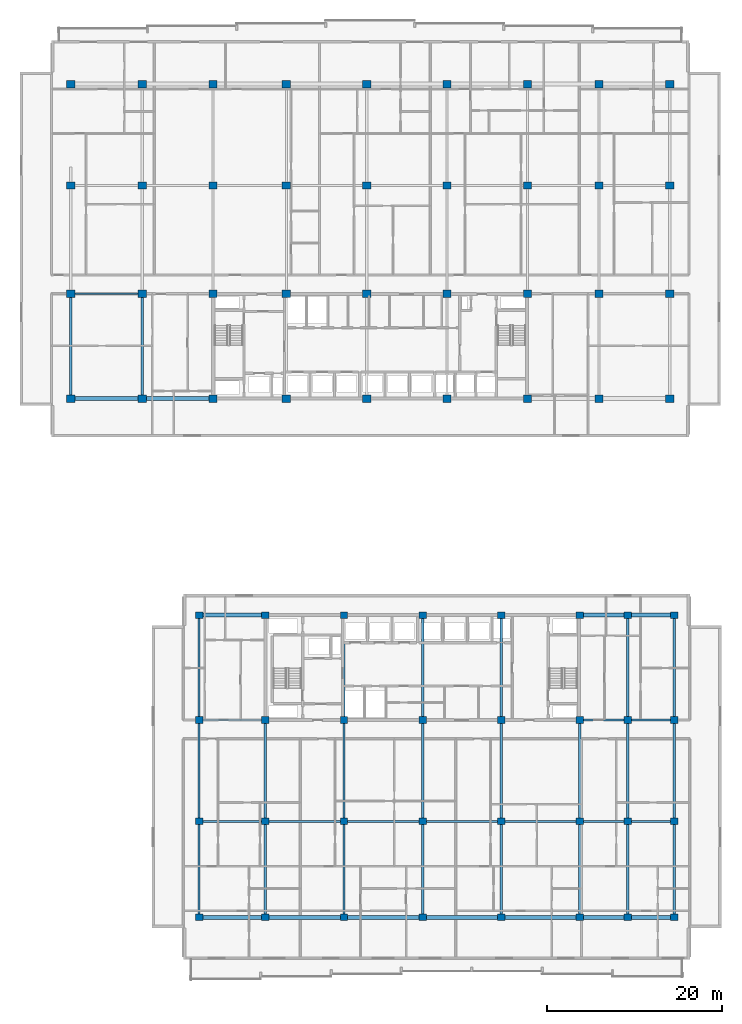
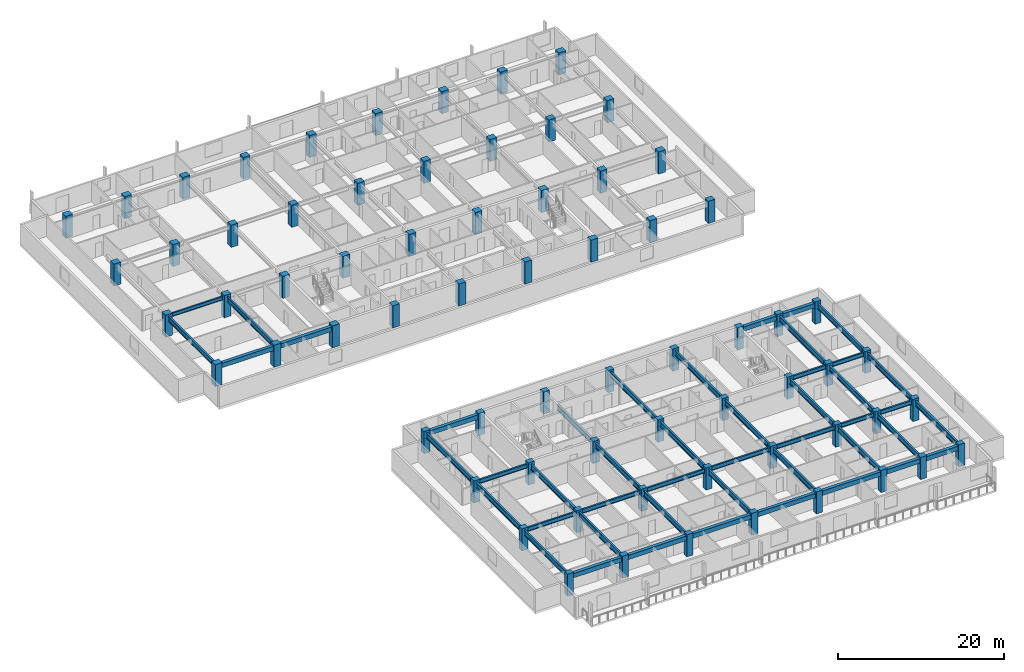
# One storey, part 1 of 22: 68 columns, 47 beams.
"""IFC4 building model written with IfcOpenShell, lengths in metres."""

from ifc_helpers import new_model, si_unit, direction, frame, origin, origin_2d, place, context, subcontext, project, spatial, rectangle, i_section, extrude, material, material_profile, profile_set, type_object, element, save


model = new_model("IFC4")

# Units and contexts
model_context = context("Model", 3, precision=1e-05, world=origin(), true_north=direction((0.0, 1.0)))
body_context = subcontext(model_context, "Body", "Model", "MODEL_VIEW")
ifc_project = project(units=[si_unit("LENGTHUNIT", "METRE"), si_unit("AREAUNIT", "SQUARE_METRE"), si_unit("VOLUMEUNIT", "CUBIC_METRE"), si_unit("PLANEANGLEUNIT", "RADIAN"), si_unit("MASSUNIT", "GRAM", prefix="KILO")], contexts=[model_context])

# Site, building, storey
site_placement = place(None, origin())
site = spatial("IfcSite", under=ifc_project, at=site_placement, CompositionType="ELEMENT")
building_placement = place(site_placement, origin())
building = spatial("IfcBuilding", under=site, at=building_placement, Name="Korimba Cascade Residences", CompositionType="ELEMENT")
storey_placement = place(building_placement, frame((0.0, 0.0, 80.800048828125)))
storey = spatial("IfcBuildingStorey", under=building, at=storey_placement, Name="L22", CompositionType="ELEMENT", Elevation=80.800048828125)

# Columns
ifc_material_1 = material(Name="Concrete C65/80", Category="concrete")
ifc_material_profile_1 = material_profile(ifc_material_1, rectangle(XDim=0.85009765625, YDim=0.75, at=origin_2d()), Name="Concrete C65/80")
ifc_profile_set_1 = profile_set([ifc_material_profile_1], Name="Concrete C65/80")
column_type_1 = type_object("IfcColumnType", Name="COL-RC-850", PredefinedType="COLUMN", material=ifc_profile_set_1)
for number, where, z_axis, x_axis, name in (
    (1, (74.5, -4.199951171875, 0.0), (0.0, 0.0, 1.0), (1.0, 0.0, 0.0), "L22 Tower 2 Column 1.1"),
    (2, (74.5, 6.800048828125, 0.0), (0.0, 0.0, 1.0), (1.0, 0.0, 0.0), "L22 Tower 2 Column 1.2"),
    (3, (74.5, 18.39990234375, 0.0), (0.0, 0.0, 1.0), (1.0, 0.0, 0.0), "L22 Tower 2 Column 1.3"),
    (4, (74.5, 30.39990234375, 0.0), (0.0, 0.0, 1.0), (1.0, 0.0, 0.0), "L22 Tower 2 Column 1.4"),
    (5, (82.10009765625, -4.199951171875, 0.0), (0.0, 0.0, 1.0), (1.0, 0.0, 0.0), "L22 Tower 2 Column 2.1"),
    (6, (82.10009765625, 6.800048828125, 0.0), (0.0, 0.0, 1.0), (1.0, 0.0, 0.0), "L22 Tower 2 Column 2.2"),
    (7, (82.10009765625, 18.39990234375, 0.0), (0.0, 0.0, 1.0), (1.0, 0.0, 0.0), "L22 Tower 2 Column 2.3"),
    (8, (82.10009765625, 30.39990234375, 0.0), (0.0, 0.0, 1.0), (1.0, 0.0, 0.0), "L22 Tower 2 Column 2.4"),
    (9, (91.10009765625, -4.199951171875, 0.0), (0.0, 0.0, 1.0), (1.0, 0.0, 0.0), "L22 Tower 2 Column 3.1"),
    (10, (91.10009765625, 6.800048828125, 0.0), (0.0, 0.0, 1.0), (1.0, 0.0, 0.0), "L22 Tower 2 Column 3.2"),
    (11, (91.10009765625, 18.39990234375, 0.0), (0.0, 0.0, 1.0), (1.0, 0.0, 0.0), "L22 Tower 2 Column 3.3"),
    (12, (91.10009765625, 30.39990234375, 0.0), (0.0, 0.0, 1.0), (1.0, 0.0, 0.0), "L22 Tower 2 Column 3.4"),
    (13, (100.10009765625, -4.199951171875, 0.0), (0.0, 0.0, 1.0), (1.0, 0.0, 0.0), "L22 Tower 2 Column 4.1"),
    (14, (100.10009765625, 6.800048828125, 0.0), (0.0, 0.0, 1.0), (1.0, 0.0, 0.0), "L22 Tower 2 Column 4.2"),
    (15, (100.10009765625, 18.39990234375, 0.0), (0.0, 0.0, 1.0), (1.0, 0.0, 0.0), "L22 Tower 2 Column 4.3"),
    (16, (100.10009765625, 30.39990234375, 0.0), (0.0, 0.0, 1.0), (1.0, 0.0, 0.0), "L22 Tower 2 Column 4.4"),
    (17, (109.10009765625, -4.199951171875, 0.0), (0.0, 0.0, 1.0), (1.0, 0.0, 0.0), "L22 Tower 2 Column 5.1"),
    (18, (109.10009765625, 6.800048828125, 0.0), (0.0, 0.0, 1.0), (1.0, 0.0, 0.0), "L22 Tower 2 Column 5.2"),
    (19, (109.10009765625, 18.39990234375, 0.0), (0.0, 0.0, 1.0), (1.0, 0.0, 0.0), "L22 Tower 2 Column 5.3"),
    (20, (109.10009765625, 30.39990234375, 0.0), (0.0, 0.0, 1.0), (1.0, 0.0, 0.0), "L22 Tower 2 Column 5.4"),
    (21, (118.10009765625, -4.199951171875, 0.0), (0.0, 0.0, 1.0), (1.0, 0.0, 0.0), "L22 Tower 2 Column 6.1"),
    (22, (118.10009765625, 6.800048828125, 0.0), (0.0, 0.0, 1.0), (1.0, 0.0, 0.0), "L22 Tower 2 Column 6.2"),
    (23, (118.10009765625, 18.39990234375, 0.0), (0.0, 0.0, 1.0), (1.0, 0.0, 0.0), "L22 Tower 2 Column 6.3"),
    (24, (118.10009765625, 30.39990234375, 0.0), (0.0, 0.0, 1.0), (1.0, 0.0, 0.0), "L22 Tower 2 Column 6.4"),
    (25, (123.60009765625, -4.199951171875, 0.0), (0.0, 0.0, 1.0), (1.0, 0.0, 0.0), "L22 Tower 2 Column 7.1"),
    (26, (123.60009765625, 6.800048828125, 0.0), (0.0, 0.0, 1.0), (1.0, 0.0, 0.0), "L22 Tower 2 Column 7.2"),
    (27, (123.60009765625, 18.39990234375, 0.0), (0.0, 0.0, 1.0), (1.0, 0.0, 0.0), "L22 Tower 2 Column 7.3"),
    (28, (123.60009765625, 30.39990234375, 0.0), (0.0, 0.0, 1.0), (1.0, 0.0, 0.0), "L22 Tower 2 Column 7.4"),
    (29, (128.89990234375, -4.199951171875, 0.0), (0.0, 0.0, 1.0), (1.0, 0.0, 0.0), "L22 Tower 2 Column 8.1"),
    (30, (128.89990234375, 6.800048828125, 0.0), (0.0, 0.0, 1.0), (1.0, 0.0, 0.0), "L22 Tower 2 Column 8.2"),
    (31, (128.89990234375, 18.39990234375, 0.0), (0.0, 0.0, 1.0), (1.0, 0.0, 0.0), "L22 Tower 2 Column 8.3"),
    (32, (128.89990234375, 30.39990234375, 0.0), (0.0, 0.0, 1.0), (1.0, 0.0, 0.0), "L22 Tower 2 Column 8.4"),
):
    element("IfcColumn", number, at=place(storey_placement, frame(where, z_axis=z_axis, x_axis=x_axis)), inside=storey, type_object=column_type_1, Name=name, PredefinedType="COLUMN", context=body_context, shape_type="SweptSolid", body=[
        extrude(rectangle(XDim=0.85009765625, YDim=0.75, at=origin_2d()), origin(), (0.0, 0.0, 1.0), 3.25),
    ])
ifc_material_profile_2 = material_profile(ifc_material_1, rectangle(XDim=0.949951171875, YDim=0.85009765625, at=origin_2d()), Name="Concrete C65/80")
ifc_profile_set_2 = profile_set([ifc_material_profile_2], Name="Concrete C65/80")
column_type_2 = type_object("IfcColumnType", Name="COL-RC-950", PredefinedType="COLUMN", material=ifc_profile_set_2)
for number, where, z_axis, x_axis, name in (
    (33, (59.800048828125, 55.199951171875, 0.0), (0.0, 0.0, 1.0), (1.0, 0.0, 0.0), "L22 Tower 1 Column 1.1"),
    (34, (59.800048828125, 67.199951171875, 0.0), (0.0, 0.0, 1.0), (1.0, 0.0, 0.0), "L22 Tower 1 Column 1.2"),
    (35, (59.800048828125, 79.60009765625, 0.0), (0.0, 0.0, 1.0), (1.0, 0.0, 0.0), "L22 Tower 1 Column 1.3"),
    (36, (59.800048828125, 91.199951171875, 0.0), (0.0, 0.0, 1.0), (1.0, 0.0, 0.0), "L22 Tower 1 Column 1.4"),
    (37, (68.0, 55.199951171875, 0.0), (0.0, 0.0, 1.0), (1.0, 0.0, 0.0), "L22 Tower 1 Column 2.1"),
    (38, (68.0, 67.199951171875, 0.0), (0.0, 0.0, 1.0), (1.0, 0.0, 0.0), "L22 Tower 1 Column 2.2"),
    (39, (68.0, 79.60009765625, 0.0), (0.0, 0.0, 1.0), (1.0, 0.0, 0.0), "L22 Tower 1 Column 2.3"),
    (40, (68.0, 91.199951171875, 0.0), (0.0, 0.0, 1.0), (1.0, 0.0, 0.0), "L22 Tower 1 Column 2.4"),
    (41, (76.10009765625, 55.199951171875, 0.0), (0.0, 0.0, 1.0), (1.0, 0.0, 0.0), "L22 Tower 1 Column 3.1"),
    (42, (76.10009765625, 67.199951171875, 0.0), (0.0, 0.0, 1.0), (1.0, 0.0, 0.0), "L22 Tower 1 Column 3.2"),
    (43, (76.10009765625, 79.60009765625, 0.0), (0.0, 0.0, 1.0), (1.0, 0.0, 0.0), "L22 Tower 1 Column 3.3"),
    (44, (76.10009765625, 91.199951171875, 0.0), (0.0, 0.0, 1.0), (1.0, 0.0, 0.0), "L22 Tower 1 Column 3.4"),
    (45, (84.5, 55.199951171875, 0.0), (0.0, 0.0, 1.0), (1.0, 0.0, 0.0), "L22 Tower 1 Column 4.1"),
    (46, (84.5, 67.199951171875, 0.0), (0.0, 0.0, 1.0), (1.0, 0.0, 0.0), "L22 Tower 1 Column 4.2"),
    (47, (84.5, 79.60009765625, 0.0), (0.0, 0.0, 1.0), (1.0, 0.0, 0.0), "L22 Tower 1 Column 4.3"),
    (48, (84.5, 91.199951171875, 0.0), (0.0, 0.0, 1.0), (1.0, 0.0, 0.0), "L22 Tower 1 Column 4.4"),
    (49, (93.699951171875, 55.199951171875, 0.0), (0.0, 0.0, 1.0), (1.0, 0.0, 0.0), "L22 Tower 1 Column 5.1"),
    (50, (93.699951171875, 67.199951171875, 0.0), (0.0, 0.0, 1.0), (1.0, 0.0, 0.0), "L22 Tower 1 Column 5.2"),
    (51, (93.699951171875, 79.60009765625, 0.0), (0.0, 0.0, 1.0), (1.0, 0.0, 0.0), "L22 Tower 1 Column 5.3"),
    (52, (93.699951171875, 91.199951171875, 0.0), (0.0, 0.0, 1.0), (1.0, 0.0, 0.0), "L22 Tower 1 Column 5.4"),
    (53, (102.89990234375, 55.199951171875, 0.0), (0.0, 0.0, 1.0), (1.0, 0.0, 0.0), "L22 Tower 1 Column 6.1"),
    (54, (102.89990234375, 67.199951171875, 0.0), (0.0, 0.0, 1.0), (1.0, 0.0, 0.0), "L22 Tower 1 Column 6.2"),
    (55, (102.89990234375, 79.60009765625, 0.0), (0.0, 0.0, 1.0), (1.0, 0.0, 0.0), "L22 Tower 1 Column 6.3"),
    (56, (102.89990234375, 91.199951171875, 0.0), (0.0, 0.0, 1.0), (1.0, 0.0, 0.0), "L22 Tower 1 Column 6.4"),
    (57, (112.10009765625, 55.199951171875, 0.0), (0.0, 0.0, 1.0), (1.0, 0.0, 0.0), "L22 Tower 1 Column 7.1"),
    (58, (112.10009765625, 67.199951171875, 0.0), (0.0, 0.0, 1.0), (1.0, 0.0, 0.0), "L22 Tower 1 Column 7.2"),
    (59, (112.10009765625, 79.60009765625, 0.0), (0.0, 0.0, 1.0), (1.0, 0.0, 0.0), "L22 Tower 1 Column 7.3"),
    (60, (112.10009765625, 91.199951171875, 0.0), (0.0, 0.0, 1.0), (1.0, 0.0, 0.0), "L22 Tower 1 Column 7.4"),
    (61, (120.300048828125, 55.199951171875, 0.0), (0.0, 0.0, 1.0), (1.0, 0.0, 0.0), "L22 Tower 1 Column 8.1"),
    (62, (120.300048828125, 67.199951171875, 0.0), (0.0, 0.0, 1.0), (1.0, 0.0, 0.0), "L22 Tower 1 Column 8.2"),
    (63, (120.300048828125, 79.60009765625, 0.0), (0.0, 0.0, 1.0), (1.0, 0.0, 0.0), "L22 Tower 1 Column 8.3"),
    (64, (120.300048828125, 91.199951171875, 0.0), (0.0, 0.0, 1.0), (1.0, 0.0, 0.0), "L22 Tower 1 Column 8.4"),
    (65, (128.39990234375, 55.199951171875, 0.0), (0.0, 0.0, 1.0), (1.0, 0.0, 0.0), "L22 Tower 1 Column 9.1"),
    (66, (128.39990234375, 67.199951171875, 0.0), (0.0, 0.0, 1.0), (1.0, 0.0, 0.0), "L22 Tower 1 Column 9.2"),
    (67, (128.39990234375, 79.60009765625, 0.0), (0.0, 0.0, 1.0), (1.0, 0.0, 0.0), "L22 Tower 1 Column 9.3"),
    (68, (128.39990234375, 91.199951171875, 0.0), (0.0, 0.0, 1.0), (1.0, 0.0, 0.0), "L22 Tower 1 Column 9.4"),
):
    element("IfcColumn", number, at=place(storey_placement, frame(where, z_axis=z_axis, x_axis=x_axis)), inside=storey, type_object=column_type_2, Name=name, PredefinedType="COLUMN", context=body_context, shape_type="SweptSolid", body=[
        extrude(rectangle(XDim=0.949951171875, YDim=0.85009765625, at=origin_2d()), origin(), (0.0, 0.0, 1.0), 3.25),
    ])

# Beams
ifc_material_2 = material(Name="Precast concrete C40/50", Category="concrete")
ifc_material_profile_3 = material_profile(ifc_material_2, rectangle(XDim=0.449951171875, YDim=0.64990234375, at=origin_2d()), Name="Precast concrete C40/50")
ifc_profile_set_3 = profile_set([ifc_material_profile_3], Name="Precast concrete C40/50")
beam_type_1 = type_object("IfcBeamType", Name="BM-RC-SP650", PredefinedType="SPANDREL", material=ifc_profile_set_3)
beam_1_placement = place(storey_placement, frame((60.27490234375, 55.199951171875, 2.64501953125), z_axis=(1.0, 0.0, 0.0), x_axis=(0.0, 1.0, 0.0)))
element("IfcBeam", 69, at=beam_1_placement, inside=storey, type_object=beam_type_1, Name="L22 T1 E-W Girder Y1 Bay 1", PredefinedType="SPANDREL", context=body_context, shape_type="SweptSolid", body=[
    extrude(rectangle(XDim=0.449951171875, YDim=0.64990234375, at=origin_2d()), origin(), (0.0, 0.0, 1.0), 7.25),
])
beam_2_placement = place(storey_placement, frame((68.47509765625, 55.199951171875, 2.64501953125), z_axis=(1.0, 0.0, 0.0), x_axis=(0.0, 1.0, 0.0)))
element("IfcBeam", 70, at=beam_2_placement, inside=storey, type_object=beam_type_1, Name="L22 T1 E-W Girder Y1 Bay 2", PredefinedType="SPANDREL", context=body_context, shape_type="SweptSolid", body=[
    extrude(rectangle(XDim=0.449951171875, YDim=0.64990234375, at=origin_2d()), origin(), (0.0, 0.0, 1.0), 7.14990234375),
])
beam_3_placement = place(storey_placement, frame((74.925048828125, -4.199951171875, 2.64501953125), z_axis=(1.0, 0.0, 0.0), x_axis=(0.0, 1.0, 0.0)))
element("IfcBeam", 71, at=beam_3_placement, inside=storey, type_object=beam_type_1, Name="L22 T2 E-W Girder Y1 Bay 1", PredefinedType="SPANDREL", context=body_context, shape_type="SweptSolid", body=[
    extrude(rectangle(XDim=0.449951171875, YDim=0.64990234375, at=origin_2d()), origin(), (0.0, 0.0, 1.0), 6.75),
])
for number, where, z_axis, x_axis, name in (
    (72, (82.52490234375, -4.199951171875, 2.64501953125), (1.0, 0.0, 0.0), (0.0, 1.0, 0.0), "L22 T2 E-W Girder Y1 Bay 2"),
    (73, (91.52490234375, -4.199951171875, 2.64501953125), (1.0, 0.0, 0.0), (0.0, 1.0, 0.0), "L22 T2 E-W Girder Y1 Bay 3"),
    (74, (100.52490234375, -4.199951171875, 2.64501953125), (1.0, 0.0, 0.0), (0.0, 1.0, 0.0), "L22 T2 E-W Girder Y1 Bay 4"),
    (75, (109.52490234375, -4.199951171875, 2.64501953125), (1.0, 0.0, 0.0), (0.0, 1.0, 0.0), "L22 T2 E-W Girder Y1 Bay 5"),
):
    element("IfcBeam", number, at=place(storey_placement, frame(where, z_axis=z_axis, x_axis=x_axis)), inside=storey, type_object=beam_type_1, Name=name, PredefinedType="SPANDREL", context=body_context, shape_type="SweptSolid", body=[
        extrude(rectangle(XDim=0.449951171875, YDim=0.64990234375, at=origin_2d()), origin(), (0.0, 0.0, 1.0), 8.150146484375),
    ])
beam_4_placement = place(storey_placement, frame((118.52490234375, -4.199951171875, 2.64501953125), z_axis=(1.0, 0.0, 0.0), x_axis=(0.0, 1.0, 0.0)))
element("IfcBeam", 76, at=beam_4_placement, inside=storey, type_object=beam_type_1, Name="L22 T2 E-W Girder Y1 Bay 6", PredefinedType="SPANDREL", context=body_context, shape_type="SweptSolid", body=[
    extrude(rectangle(XDim=0.449951171875, YDim=0.64990234375, at=origin_2d()), origin(), (0.0, 0.0, 1.0), 4.650146484375),
])
beam_5_placement = place(storey_placement, frame((124.02490234375, -4.199951171875, 2.64501953125), z_axis=(1.0, 0.0, 0.0), x_axis=(0.0, 1.0, 0.0)))
element("IfcBeam", 77, at=beam_5_placement, inside=storey, type_object=beam_type_1, Name="L22 T2 E-W Girder Y1 Bay 7", PredefinedType="SPANDREL", context=body_context, shape_type="SweptSolid", body=[
    extrude(rectangle(XDim=0.449951171875, YDim=0.64990234375, at=origin_2d()), origin(), (0.0, 0.0, 1.0), 4.4501953125),
])
beam_6_placement = place(storey_placement, frame((74.925048828125, 30.39990234375, 2.64501953125), z_axis=(1.0, 0.0, 0.0), x_axis=(0.0, 1.0, 0.0)))
element("IfcBeam", 78, at=beam_6_placement, inside=storey, type_object=beam_type_1, Name="L22 T2 E-W Girder Y4 Bay 1", PredefinedType="SPANDREL", context=body_context, shape_type="SweptSolid", body=[
    extrude(rectangle(XDim=0.449951171875, YDim=0.64990234375, at=origin_2d()), origin(), (0.0, 0.0, 1.0), 6.75),
])
beam_7_placement = place(storey_placement, frame((118.52490234375, 30.39990234375, 2.64501953125), z_axis=(1.0, 0.0, 0.0), x_axis=(0.0, 1.0, 0.0)))
element("IfcBeam", 79, at=beam_7_placement, inside=storey, type_object=beam_type_1, Name="L22 T2 E-W Girder Y4 Bay 6", PredefinedType="SPANDREL", context=body_context, shape_type="SweptSolid", body=[
    extrude(rectangle(XDim=0.449951171875, YDim=0.64990234375, at=origin_2d()), origin(), (0.0, 0.0, 1.0), 4.650146484375),
])
beam_8_placement = place(storey_placement, frame((124.02490234375, 30.39990234375, 2.64501953125), z_axis=(1.0, 0.0, 0.0), x_axis=(0.0, 1.0, 0.0)))
element("IfcBeam", 80, at=beam_8_placement, inside=storey, type_object=beam_type_1, Name="L22 T2 E-W Girder Y4 Bay 7", PredefinedType="SPANDREL", context=body_context, shape_type="SweptSolid", body=[
    extrude(rectangle(XDim=0.449951171875, YDim=0.64990234375, at=origin_2d()), origin(), (0.0, 0.0, 1.0), 4.4501953125),
])
ifc_material_3 = material(Name="Steel S355", Category="steel")
ifc_material_profile_4 = material_profile(ifc_material_3, i_section(OverallWidth=0.2099609375, OverallDepth=0.53662109375, WebThickness=0.0107421875, FlangeThickness=0.017333984375, FilletRadius=0.0126953125, at=origin_2d()), Name="Steel S355")
ifc_profile_set_4 = profile_set([ifc_material_profile_4], Name="Steel S355")
beam_type_2 = type_object("IfcBeamType", Name="BM-STL-UB533", PredefinedType="BEAM", material=ifc_profile_set_4)
beam_9_placement = place(storey_placement, frame((60.27490234375, 67.199951171875, 2.70166015625), z_axis=(1.0, 0.0, 0.0), x_axis=(0.0, 1.0, 0.0)))
element("IfcBeam", 81, at=beam_9_placement, inside=storey, type_object=beam_type_2, Name="L22 T1 E-W Girder Y2 Bay 1", PredefinedType="BEAM", context=body_context, shape_type="SweptSolid", body=[
    extrude(i_section(OverallWidth=0.2099609375, OverallDepth=0.53662109375, WebThickness=0.0107421875, FlangeThickness=0.017333984375, FilletRadius=0.0126953125, at=origin_2d()), origin(), (0.0, 0.0, 1.0), 7.25),
])
ifc_material_profile_5 = material_profile(ifc_material_3, i_section(OverallWidth=0.22900390625, OverallDepth=0.6123046875, WebThickness=0.011962890625, FlangeThickness=0.01953125, FilletRadius=0.0126953125, at=origin_2d()), Name="Steel S355")
ifc_profile_set_5 = profile_set([ifc_material_profile_5], Name="Steel S355")
beam_type_3 = type_object("IfcBeamType", Name="BM-STL-UB610B", PredefinedType="BEAM", material=ifc_profile_set_5)
beam_10_placement = place(storey_placement, frame((74.925048828125, 6.800048828125, 2.663818359375), z_axis=(1.0, 0.0, 0.0), x_axis=(0.0, 1.0, 0.0)))
element("IfcBeam", 82, at=beam_10_placement, inside=storey, type_object=beam_type_3, Name="L22 T2 E-W Girder Y2 Bay 1", PredefinedType="BEAM", context=body_context, shape_type="SweptSolid", body=[
    extrude(i_section(OverallWidth=0.22900390625, OverallDepth=0.6123046875, WebThickness=0.011962890625, FlangeThickness=0.01953125, FilletRadius=0.0126953125, at=origin_2d()), origin(), (0.0, 0.0, 1.0), 6.75),
])
for number, where, z_axis, x_axis, name in (
    (83, (82.52490234375, 6.800048828125, 2.663818359375), (1.0, 0.0, 0.0), (0.0, 1.0, 0.0), "L22 T2 E-W Girder Y2 Bay 2"),
    (84, (91.52490234375, 6.800048828125, 2.663818359375), (1.0, 0.0, 0.0), (0.0, 1.0, 0.0), "L22 T2 E-W Girder Y2 Bay 3"),
    (85, (100.52490234375, 6.800048828125, 2.663818359375), (1.0, 0.0, 0.0), (0.0, 1.0, 0.0), "L22 T2 E-W Girder Y2 Bay 4"),
    (86, (109.52490234375, 6.800048828125, 2.663818359375), (1.0, 0.0, 0.0), (0.0, 1.0, 0.0), "L22 T2 E-W Girder Y2 Bay 5"),
):
    element("IfcBeam", number, at=place(storey_placement, frame(where, z_axis=z_axis, x_axis=x_axis)), inside=storey, type_object=beam_type_3, Name=name, PredefinedType="BEAM", context=body_context, shape_type="SweptSolid", body=[
        extrude(i_section(OverallWidth=0.22900390625, OverallDepth=0.6123046875, WebThickness=0.011962890625, FlangeThickness=0.01953125, FilletRadius=0.0126953125, at=origin_2d()), origin(), (0.0, 0.0, 1.0), 8.150146484375),
    ])
beam_11_placement = place(storey_placement, frame((118.52490234375, 6.800048828125, 2.663818359375), z_axis=(1.0, 0.0, 0.0), x_axis=(0.0, 1.0, 0.0)))
element("IfcBeam", 87, at=beam_11_placement, inside=storey, type_object=beam_type_3, Name="L22 T2 E-W Girder Y2 Bay 6", PredefinedType="BEAM", context=body_context, shape_type="SweptSolid", body=[
    extrude(i_section(OverallWidth=0.22900390625, OverallDepth=0.6123046875, WebThickness=0.011962890625, FlangeThickness=0.01953125, FilletRadius=0.0126953125, at=origin_2d()), origin(), (0.0, 0.0, 1.0), 4.650146484375),
])
beam_12_placement = place(storey_placement, frame((124.02490234375, 6.800048828125, 2.663818359375), z_axis=(1.0, 0.0, 0.0), x_axis=(0.0, 1.0, 0.0)))
element("IfcBeam", 88, at=beam_12_placement, inside=storey, type_object=beam_type_3, Name="L22 T2 E-W Girder Y2 Bay 7", PredefinedType="BEAM", context=body_context, shape_type="SweptSolid", body=[
    extrude(i_section(OverallWidth=0.22900390625, OverallDepth=0.6123046875, WebThickness=0.011962890625, FlangeThickness=0.01953125, FilletRadius=0.0126953125, at=origin_2d()), origin(), (0.0, 0.0, 1.0), 4.4501953125),
])
beam_13_placement = place(storey_placement, frame((74.925048828125, 18.39990234375, 2.663818359375), z_axis=(1.0, 0.0, 0.0), x_axis=(0.0, 1.0, 0.0)))
element("IfcBeam", 89, at=beam_13_placement, inside=storey, type_object=beam_type_3, Name="L22 T2 E-W Girder Y3 Bay 1", PredefinedType="BEAM", context=body_context, shape_type="SweptSolid", body=[
    extrude(i_section(OverallWidth=0.22900390625, OverallDepth=0.6123046875, WebThickness=0.011962890625, FlangeThickness=0.01953125, FilletRadius=0.0126953125, at=origin_2d()), origin(), (0.0, 0.0, 1.0), 6.75),
])
beam_14_placement = place(storey_placement, frame((118.52490234375, 18.39990234375, 2.663818359375), z_axis=(1.0, 0.0, 0.0), x_axis=(0.0, 1.0, 0.0)))
element("IfcBeam", 90, at=beam_14_placement, inside=storey, type_object=beam_type_3, Name="L22 T2 E-W Girder Y3 Bay 6", PredefinedType="BEAM", context=body_context, shape_type="SweptSolid", body=[
    extrude(i_section(OverallWidth=0.22900390625, OverallDepth=0.6123046875, WebThickness=0.011962890625, FlangeThickness=0.01953125, FilletRadius=0.0126953125, at=origin_2d()), origin(), (0.0, 0.0, 1.0), 4.650146484375),
])
beam_15_placement = place(storey_placement, frame((124.02490234375, 18.39990234375, 2.663818359375), z_axis=(1.0, 0.0, 0.0), x_axis=(0.0, 1.0, 0.0)))
element("IfcBeam", 91, at=beam_15_placement, inside=storey, type_object=beam_type_3, Name="L22 T2 E-W Girder Y3 Bay 7", PredefinedType="BEAM", context=body_context, shape_type="SweptSolid", body=[
    extrude(i_section(OverallWidth=0.22900390625, OverallDepth=0.6123046875, WebThickness=0.011962890625, FlangeThickness=0.01953125, FilletRadius=0.0126953125, at=origin_2d()), origin(), (0.0, 0.0, 1.0), 4.4501953125),
])
ifc_material_profile_6 = material_profile(ifc_material_3, i_section(OverallWidth=0.255859375, OverallDepth=0.69287109375, WebThickness=0.014404296875, FlangeThickness=0.023681640625, FilletRadius=0.01513671875, at=origin_2d()), Name="Steel S355")
ifc_profile_set_6 = profile_set([ifc_material_profile_6], Name="Steel S355")
beam_type_4 = type_object("IfcBeamType", Name="BM-STL-UB686", PredefinedType="BEAM", material=ifc_profile_set_6)
for number, where, z_axis, x_axis, name in (
    (92, (59.800048828125, 55.625, 2.62353515625), (0.0, 1.0, 0.0), (-1.0, 0.0, 0.0), "L22 T1 N-S Girder X1 Seg 1"),
    (93, (68.0, 55.625, 2.62353515625), (0.0, 1.0, 0.0), (-1.0, 0.0, 0.0), "L22 T1 N-S Girder X2 Seg 1"),
):
    element("IfcBeam", number, at=place(storey_placement, frame(where, z_axis=z_axis, x_axis=x_axis)), inside=storey, type_object=beam_type_4, Name=name, PredefinedType="BEAM", context=body_context, shape_type="SweptSolid", body=[
        extrude(i_section(OverallWidth=0.255859375, OverallDepth=0.69287109375, WebThickness=0.014404296875, FlangeThickness=0.023681640625, FilletRadius=0.01513671875, at=origin_2d()), origin(), (0.0, 0.0, 1.0), 11.14990234375),
    ])
ifc_material_profile_7 = material_profile(ifc_material_3, i_section(OverallWidth=0.26806640625, OverallDepth=0.769775390625, WebThickness=0.015625, FlangeThickness=0.025390625, FilletRadius=0.0166015625, at=origin_2d()), Name="Steel S355")
ifc_profile_set_7 = profile_set([ifc_material_profile_7], Name="Steel S355")
beam_type_5 = type_object("IfcBeamType", Name="BM-STL-UB762", PredefinedType="BEAM", material=ifc_profile_set_7)
beam_16_placement = place(storey_placement, frame((74.5, -3.824951171875, 2.5849609375), z_axis=(0.0, 1.0, 0.0), x_axis=(-1.0, 0.0, 0.0)))
element("IfcBeam", 94, at=beam_16_placement, inside=storey, type_object=beam_type_5, Name="L22 T2 N-S Girder X1 Seg 1", PredefinedType="BEAM", context=body_context, shape_type="SweptSolid", body=[
    extrude(i_section(OverallWidth=0.26806640625, OverallDepth=0.769775390625, WebThickness=0.015625, FlangeThickness=0.025390625, FilletRadius=0.0166015625, at=origin_2d()), origin(), (0.0, 0.0, 1.0), 10.25),
])
beam_17_placement = place(storey_placement, frame((74.5, 7.175048828125, 2.5849609375), z_axis=(0.0, 1.0, 0.0), x_axis=(-1.0, 0.0, 0.0)))
element("IfcBeam", 95, at=beam_17_placement, inside=storey, type_object=beam_type_5, Name="L22 T2 N-S Girder X1 Seg 2", PredefinedType="BEAM", context=body_context, shape_type="SweptSolid", body=[
    extrude(i_section(OverallWidth=0.26806640625, OverallDepth=0.769775390625, WebThickness=0.015625, FlangeThickness=0.025390625, FilletRadius=0.0166015625, at=origin_2d()), origin(), (0.0, 0.0, 1.0), 10.849853515625),
])
beam_18_placement = place(storey_placement, frame((74.5, 18.77490234375, 2.5849609375), z_axis=(0.0, 1.0, 0.0), x_axis=(-1.0, 0.0, 0.0)))
element("IfcBeam", 96, at=beam_18_placement, inside=storey, type_object=beam_type_5, Name="L22 T2 N-S Girder X1 Seg 3", PredefinedType="BEAM", context=body_context, shape_type="SweptSolid", body=[
    extrude(i_section(OverallWidth=0.26806640625, OverallDepth=0.769775390625, WebThickness=0.015625, FlangeThickness=0.025390625, FilletRadius=0.0166015625, at=origin_2d()), origin(), (0.0, 0.0, 1.0), 11.25),
])
beam_19_placement = place(storey_placement, frame((82.10009765625, -3.824951171875, 2.5849609375), z_axis=(0.0, 1.0, 0.0), x_axis=(-1.0, 0.0, 0.0)))
element("IfcBeam", 97, at=beam_19_placement, inside=storey, type_object=beam_type_5, Name="L22 T2 N-S Girder X2 Seg 1", PredefinedType="BEAM", context=body_context, shape_type="SweptSolid", body=[
    extrude(i_section(OverallWidth=0.26806640625, OverallDepth=0.769775390625, WebThickness=0.015625, FlangeThickness=0.025390625, FilletRadius=0.0166015625, at=origin_2d()), origin(), (0.0, 0.0, 1.0), 10.25),
])
beam_20_placement = place(storey_placement, frame((82.10009765625, 7.175048828125, 2.5849609375), z_axis=(0.0, 1.0, 0.0), x_axis=(-1.0, 0.0, 0.0)))
element("IfcBeam", 98, at=beam_20_placement, inside=storey, type_object=beam_type_5, Name="L22 T2 N-S Girder X2 Seg 2", PredefinedType="BEAM", context=body_context, shape_type="SweptSolid", body=[
    extrude(i_section(OverallWidth=0.26806640625, OverallDepth=0.769775390625, WebThickness=0.015625, FlangeThickness=0.025390625, FilletRadius=0.0166015625, at=origin_2d()), origin(), (0.0, 0.0, 1.0), 10.849853515625),
])
beam_21_placement = place(storey_placement, frame((91.10009765625, -3.824951171875, 2.5849609375), z_axis=(0.0, 1.0, 0.0), x_axis=(-1.0, 0.0, 0.0)))
element("IfcBeam", 99, at=beam_21_placement, inside=storey, type_object=beam_type_5, Name="L22 T2 N-S Girder X3 Seg 1", PredefinedType="BEAM", context=body_context, shape_type="SweptSolid", body=[
    extrude(i_section(OverallWidth=0.26806640625, OverallDepth=0.769775390625, WebThickness=0.015625, FlangeThickness=0.025390625, FilletRadius=0.0166015625, at=origin_2d()), origin(), (0.0, 0.0, 1.0), 10.25),
])
beam_22_placement = place(storey_placement, frame((91.10009765625, 7.175048828125, 2.5849609375), z_axis=(0.0, 1.0, 0.0), x_axis=(-1.0, 0.0, 0.0)))
element("IfcBeam", 100, at=beam_22_placement, inside=storey, type_object=beam_type_5, Name="L22 T2 N-S Girder X3 Seg 2", PredefinedType="BEAM", context=body_context, shape_type="SweptSolid", body=[
    extrude(i_section(OverallWidth=0.26806640625, OverallDepth=0.769775390625, WebThickness=0.015625, FlangeThickness=0.025390625, FilletRadius=0.0166015625, at=origin_2d()), origin(), (0.0, 0.0, 1.0), 10.849853515625),
])
beam_23_placement = place(storey_placement, frame((91.10009765625, 18.77490234375, 2.5849609375), z_axis=(0.0, 1.0, 0.0), x_axis=(-1.0, 0.0, 0.0)))
element("IfcBeam", 101, at=beam_23_placement, inside=storey, type_object=beam_type_5, Name="L22 T2 N-S Girder X3 Seg 3", PredefinedType="BEAM", context=body_context, shape_type="SweptSolid", body=[
    extrude(i_section(OverallWidth=0.26806640625, OverallDepth=0.769775390625, WebThickness=0.015625, FlangeThickness=0.025390625, FilletRadius=0.0166015625, at=origin_2d()), origin(), (0.0, 0.0, 1.0), 8.565185546875),
])
beam_24_placement = place(storey_placement, frame((100.10009765625, -3.824951171875, 2.5849609375), z_axis=(0.0, 1.0, 0.0), x_axis=(-1.0, 0.0, 0.0)))
element("IfcBeam", 102, at=beam_24_placement, inside=storey, type_object=beam_type_5, Name="L22 T2 N-S Girder X4 Seg 1", PredefinedType="BEAM", context=body_context, shape_type="SweptSolid", body=[
    extrude(i_section(OverallWidth=0.26806640625, OverallDepth=0.769775390625, WebThickness=0.015625, FlangeThickness=0.025390625, FilletRadius=0.0166015625, at=origin_2d()), origin(), (0.0, 0.0, 1.0), 10.25),
])
beam_25_placement = place(storey_placement, frame((100.10009765625, 7.175048828125, 2.5849609375), z_axis=(0.0, 1.0, 0.0), x_axis=(-1.0, 0.0, 0.0)))
element("IfcBeam", 103, at=beam_25_placement, inside=storey, type_object=beam_type_5, Name="L22 T2 N-S Girder X4 Seg 2", PredefinedType="BEAM", context=body_context, shape_type="SweptSolid", body=[
    extrude(i_section(OverallWidth=0.26806640625, OverallDepth=0.769775390625, WebThickness=0.015625, FlangeThickness=0.025390625, FilletRadius=0.0166015625, at=origin_2d()), origin(), (0.0, 0.0, 1.0), 10.849853515625),
])
beam_26_placement = place(storey_placement, frame((100.10009765625, 18.77490234375, 2.5849609375), z_axis=(0.0, 1.0, 0.0), x_axis=(-1.0, 0.0, 0.0)))
element("IfcBeam", 104, at=beam_26_placement, inside=storey, type_object=beam_type_5, Name="L22 T2 N-S Girder X4 Seg 3", PredefinedType="BEAM", context=body_context, shape_type="SweptSolid", body=[
    extrude(i_section(OverallWidth=0.26806640625, OverallDepth=0.769775390625, WebThickness=0.015625, FlangeThickness=0.025390625, FilletRadius=0.0166015625, at=origin_2d()), origin(), (0.0, 0.0, 1.0), 11.25),
])
beam_27_placement = place(storey_placement, frame((109.10009765625, -3.824951171875, 2.5849609375), z_axis=(0.0, 1.0, 0.0), x_axis=(-1.0, 0.0, 0.0)))
element("IfcBeam", 105, at=beam_27_placement, inside=storey, type_object=beam_type_5, Name="L22 T2 N-S Girder X5 Seg 1", PredefinedType="BEAM", context=body_context, shape_type="SweptSolid", body=[
    extrude(i_section(OverallWidth=0.26806640625, OverallDepth=0.769775390625, WebThickness=0.015625, FlangeThickness=0.025390625, FilletRadius=0.0166015625, at=origin_2d()), origin(), (0.0, 0.0, 1.0), 10.25),
])
beam_28_placement = place(storey_placement, frame((109.10009765625, 7.175048828125, 2.5849609375), z_axis=(0.0, 1.0, 0.0), x_axis=(-1.0, 0.0, 0.0)))
element("IfcBeam", 106, at=beam_28_placement, inside=storey, type_object=beam_type_5, Name="L22 T2 N-S Girder X5 Seg 2", PredefinedType="BEAM", context=body_context, shape_type="SweptSolid", body=[
    extrude(i_section(OverallWidth=0.26806640625, OverallDepth=0.769775390625, WebThickness=0.015625, FlangeThickness=0.025390625, FilletRadius=0.0166015625, at=origin_2d()), origin(), (0.0, 0.0, 1.0), 10.849853515625),
])
beam_29_placement = place(storey_placement, frame((109.10009765625, 18.77490234375, 2.5849609375), z_axis=(0.0, 1.0, 0.0), x_axis=(-1.0, 0.0, 0.0)))
element("IfcBeam", 107, at=beam_29_placement, inside=storey, type_object=beam_type_5, Name="L22 T2 N-S Girder X5 Seg 3", PredefinedType="BEAM", context=body_context, shape_type="SweptSolid", body=[
    extrude(i_section(OverallWidth=0.26806640625, OverallDepth=0.769775390625, WebThickness=0.015625, FlangeThickness=0.025390625, FilletRadius=0.0166015625, at=origin_2d()), origin(), (0.0, 0.0, 1.0), 11.25),
])
beam_30_placement = place(storey_placement, frame((118.10009765625, -3.824951171875, 2.5849609375), z_axis=(0.0, 1.0, 0.0), x_axis=(-1.0, 0.0, 0.0)))
element("IfcBeam", 108, at=beam_30_placement, inside=storey, type_object=beam_type_5, Name="L22 T2 N-S Girder X6 Seg 1", PredefinedType="BEAM", context=body_context, shape_type="SweptSolid", body=[
    extrude(i_section(OverallWidth=0.26806640625, OverallDepth=0.769775390625, WebThickness=0.015625, FlangeThickness=0.025390625, FilletRadius=0.0166015625, at=origin_2d()), origin(), (0.0, 0.0, 1.0), 10.25),
])
beam_31_placement = place(storey_placement, frame((118.10009765625, 7.175048828125, 2.5849609375), z_axis=(0.0, 1.0, 0.0), x_axis=(-1.0, 0.0, 0.0)))
element("IfcBeam", 109, at=beam_31_placement, inside=storey, type_object=beam_type_5, Name="L22 T2 N-S Girder X6 Seg 2", PredefinedType="BEAM", context=body_context, shape_type="SweptSolid", body=[
    extrude(i_section(OverallWidth=0.26806640625, OverallDepth=0.769775390625, WebThickness=0.015625, FlangeThickness=0.025390625, FilletRadius=0.0166015625, at=origin_2d()), origin(), (0.0, 0.0, 1.0), 10.849853515625),
])
beam_32_placement = place(storey_placement, frame((123.60009765625, -3.824951171875, 2.5849609375), z_axis=(0.0, 1.0, 0.0), x_axis=(-1.0, 0.0, 0.0)))
element("IfcBeam", 110, at=beam_32_placement, inside=storey, type_object=beam_type_5, Name="L22 T2 N-S Girder X7 Seg 1", PredefinedType="BEAM", context=body_context, shape_type="SweptSolid", body=[
    extrude(i_section(OverallWidth=0.26806640625, OverallDepth=0.769775390625, WebThickness=0.015625, FlangeThickness=0.025390625, FilletRadius=0.0166015625, at=origin_2d()), origin(), (0.0, 0.0, 1.0), 10.25),
])
beam_33_placement = place(storey_placement, frame((123.60009765625, 7.175048828125, 2.5849609375), z_axis=(0.0, 1.0, 0.0), x_axis=(-1.0, 0.0, 0.0)))
element("IfcBeam", 111, at=beam_33_placement, inside=storey, type_object=beam_type_5, Name="L22 T2 N-S Girder X7 Seg 2", PredefinedType="BEAM", context=body_context, shape_type="SweptSolid", body=[
    extrude(i_section(OverallWidth=0.26806640625, OverallDepth=0.769775390625, WebThickness=0.015625, FlangeThickness=0.025390625, FilletRadius=0.0166015625, at=origin_2d()), origin(), (0.0, 0.0, 1.0), 10.849853515625),
])
beam_34_placement = place(storey_placement, frame((123.60009765625, 18.77490234375, 2.5849609375), z_axis=(0.0, 1.0, 0.0), x_axis=(-1.0, 0.0, 0.0)))
element("IfcBeam", 112, at=beam_34_placement, inside=storey, type_object=beam_type_5, Name="L22 T2 N-S Girder X7 Seg 3", PredefinedType="BEAM", context=body_context, shape_type="SweptSolid", body=[
    extrude(i_section(OverallWidth=0.26806640625, OverallDepth=0.769775390625, WebThickness=0.015625, FlangeThickness=0.025390625, FilletRadius=0.0166015625, at=origin_2d()), origin(), (0.0, 0.0, 1.0), 11.25),
])
beam_35_placement = place(storey_placement, frame((128.89990234375, -3.824951171875, 2.5849609375), z_axis=(0.0, 1.0, 0.0), x_axis=(-1.0, 0.0, 0.0)))
element("IfcBeam", 113, at=beam_35_placement, inside=storey, type_object=beam_type_5, Name="L22 T2 N-S Girder X8 Seg 1", PredefinedType="BEAM", context=body_context, shape_type="SweptSolid", body=[
    extrude(i_section(OverallWidth=0.26806640625, OverallDepth=0.769775390625, WebThickness=0.015625, FlangeThickness=0.025390625, FilletRadius=0.0166015625, at=origin_2d()), origin(), (0.0, 0.0, 1.0), 10.25),
])
beam_36_placement = place(storey_placement, frame((128.89990234375, 7.175048828125, 2.5849609375), z_axis=(0.0, 1.0, 0.0), x_axis=(-1.0, 0.0, 0.0)))
element("IfcBeam", 114, at=beam_36_placement, inside=storey, type_object=beam_type_5, Name="L22 T2 N-S Girder X8 Seg 2", PredefinedType="BEAM", context=body_context, shape_type="SweptSolid", body=[
    extrude(i_section(OverallWidth=0.26806640625, OverallDepth=0.769775390625, WebThickness=0.015625, FlangeThickness=0.025390625, FilletRadius=0.0166015625, at=origin_2d()), origin(), (0.0, 0.0, 1.0), 10.849853515625),
])
beam_37_placement = place(storey_placement, frame((128.89990234375, 18.77490234375, 2.5849609375), z_axis=(0.0, 1.0, 0.0), x_axis=(-1.0, 0.0, 0.0)))
element("IfcBeam", 115, at=beam_37_placement, inside=storey, type_object=beam_type_5, Name="L22 T2 N-S Girder X8 Seg 3", PredefinedType="BEAM", context=body_context, shape_type="SweptSolid", body=[
    extrude(i_section(OverallWidth=0.26806640625, OverallDepth=0.769775390625, WebThickness=0.015625, FlangeThickness=0.025390625, FilletRadius=0.0166015625, at=origin_2d()), origin(), (0.0, 0.0, 1.0), 11.25),
])

save(model, "model.ifc")
